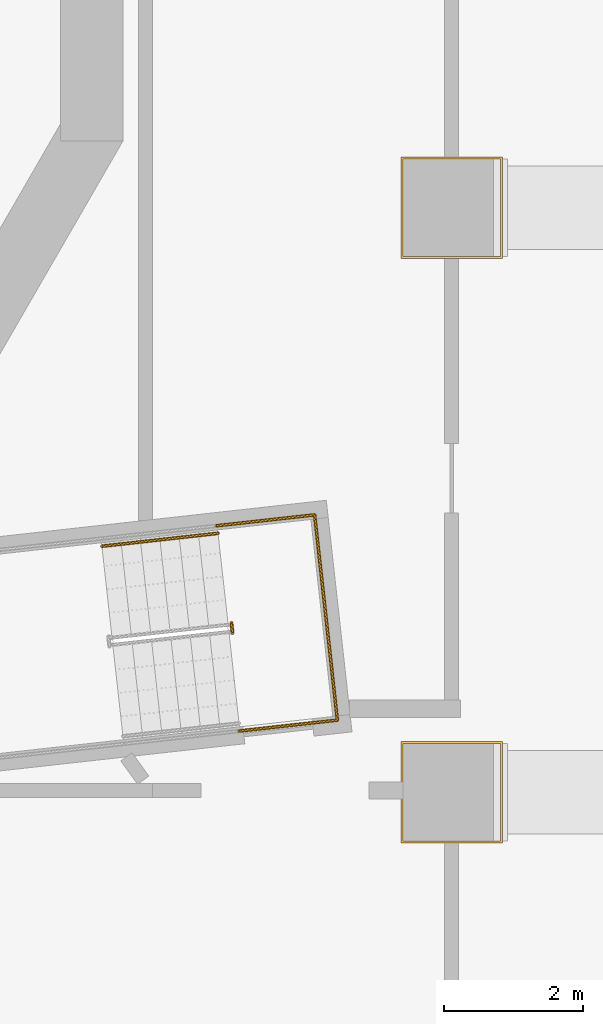
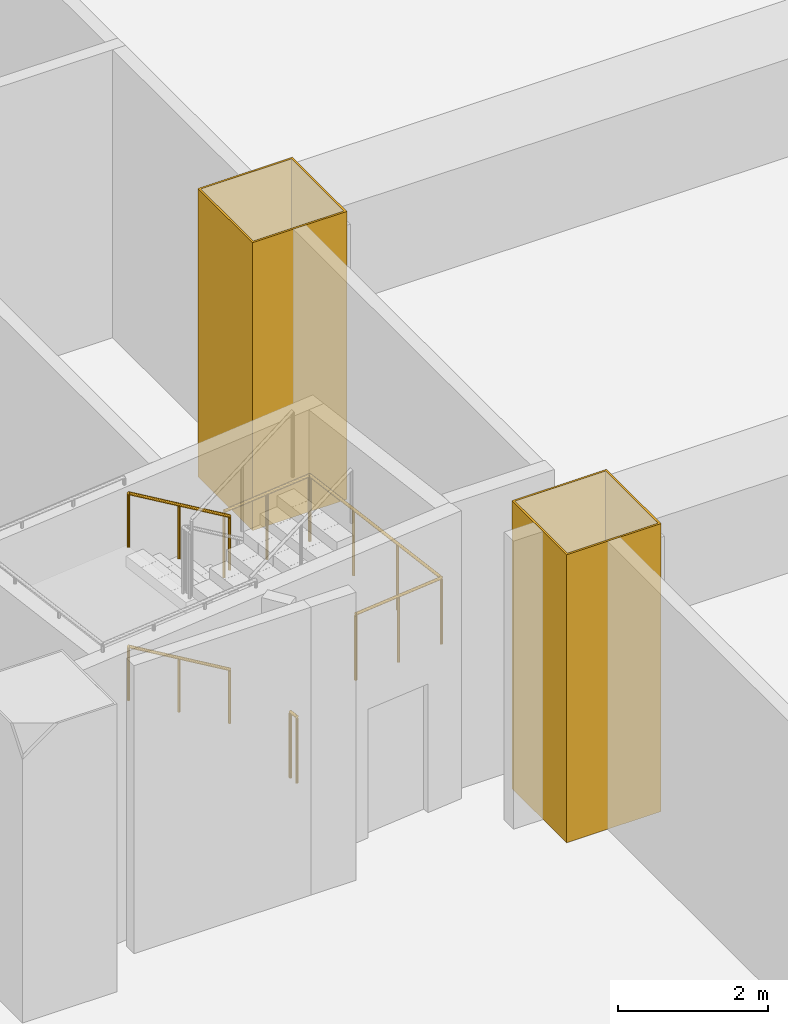
# One storey, part 11 of 17: 4 railings, 2 coverings.
"""IFC4 building model written with IfcOpenShell, lengths in metres."""

from ifc_helpers import new_model, si_unit, direction, frame, origin, origin_2d, place, context, subcontext, project, spatial, polyline, circle, outline, extrude, material, layer, layer_set, type_object, element, save


model = new_model("IFC4")

# Units and contexts
model_context = context("Model", 3, precision=1e-05, world=origin(), true_north=direction((0.0, 1.0)))
body_context = subcontext(model_context, "Body", "Model", "MODEL_VIEW")
ifc_project = project(units=[si_unit("LENGTHUNIT", "METRE"), si_unit("AREAUNIT", "SQUARE_METRE"), si_unit("VOLUMEUNIT", "CUBIC_METRE"), si_unit("PLANEANGLEUNIT", "RADIAN"), si_unit("MASSUNIT", "GRAM", prefix="KILO")], contexts=[model_context])

# Site, building, storey
site_placement = place(None, origin())
site = spatial("IfcSite", under=ifc_project, at=site_placement, CompositionType="ELEMENT")
building_placement = place(site_placement, origin())
building = spatial("IfcBuilding", under=site, at=building_placement, Name="Cantera Rosa Tower", CompositionType="ELEMENT")
storey_placement = place(building_placement, frame((0.0, 0.0, 22.0)))
storey = spatial("IfcBuildingStorey", under=building, at=storey_placement, Name="L03", CompositionType="ELEMENT", Elevation=22.0)

# Coverings
ifc_material_1 = material(Name="Plaster")
ifc_layer = layer(ifc_material_1, 0.030029296875)
ifc_layer_set = layer_set([ifc_layer], Name="Column casing 30")
covering_type = type_object("IfcCoveringType", Name="Column casing 30", PredefinedType="CLADDING", material=ifc_layer_set)
covering_1_placement = place(storey_placement, origin())
element("IfcCovering", 1, at=covering_1_placement, inside=storey, type_object=covering_type, Name="Column casing L03-027", PredefinedType="CLADDING", context=body_context, shape_type="SweptSolid", body=[
    extrude(outline(polyline([(16.070068359375, -13.330078125), (17.530029296875, -13.330078125), (17.530029296875, -11.8701171875), (16.070068359375, -11.8701171875), (16.070068359375, -13.330078125)]), holes=[polyline([(17.5, -11.89990234375), (16.10009765625, -11.89990234375), (16.10009765625, -13.300048828125), (17.5, -13.300048828125), (17.5, -11.89990234375)])]), origin(), (0.0, 0.0, 1.0), 4.699951171875),
])
covering_2_placement = place(storey_placement, origin())
element("IfcCovering", 2, at=covering_2_placement, inside=storey, type_object=covering_type, Name="Column casing L03-028", PredefinedType="CLADDING", context=body_context, shape_type="SweptSolid", body=[
    extrude(outline(polyline([(16.070068359375, -4.929931640625), (17.530029296875, -4.929931640625), (17.530029296875, -3.469970703125), (16.070068359375, -3.469970703125), (16.070068359375, -4.929931640625)]), holes=[polyline([(17.5, -3.5), (16.10009765625, -3.5), (16.10009765625, -4.89990234375), (17.5, -4.89990234375), (17.5, -3.5)])]), origin(), (0.0, 0.0, 1.0), 4.699951171875),
])

# Railings
ifc_material_2 = material(Name="Steel S355J2 (EN 10025-2)", Category="steel")
railing_type_1 = type_object("IfcRailingType", Name="STAIR GUARD 1100", PredefinedType="GUARDRAIL", material=ifc_material_2)
railing_1_placement = place(storey_placement, frame((13.6328125, -10.16552734375, 0.0)))
element("IfcRailing", 3, at=railing_1_placement, inside=storey, type_object=railing_type_1, Name="L03 ST-14 stair guard 5", PredefinedType="GUARDRAIL", context=body_context, shape_type="SweptSolid", body=[
    extrude(circle(Radius=0.02392578125, at=origin_2d()), frame((0.0, 0.0, 1.076171875), z_axis=(0.110610055588, -0.993863881828, 0.0), x_axis=(0.993863881828, 0.110610055588, 0.0)), (0.0, 0.0, 1.0), 0.150146484375),
    extrude(circle(Radius=0.02099609375, at=origin_2d()), origin(), (0.0, 0.0, 1.0), 1.052001953125),
    extrude(circle(Radius=0.02099609375, at=origin_2d()), frame((0.0166015625, -0.149169921875, 0.0)), (0.0, 0.0, 1.0), 1.052001953125),
])
railing_2_placement = place(storey_placement, frame((13.415771484375, -8.77099609375, 2.5)))
element("IfcRailing", 4, at=railing_2_placement, inside=storey, type_object=railing_type_1, Name="L03 ST-14 stair guard 8", PredefinedType="GUARDRAIL", context=body_context, shape_type="SweptSolid", body=[
    extrude(circle(Radius=0.02392578125, at=origin_2d()), frame((0.0, 0.0, 1.076171875), z_axis=(0.993887921413, 0.110393838913, 0.0), x_axis=(-0.110393838913, 0.993887921413, 0.0)), (0.0, 0.0, 1.0), 1.422119140625),
    extrude(circle(Radius=0.02392578125, at=origin_2d()), frame((1.413330078125, 0.156982421875, 1.076171875), z_axis=(0.110314237986, -0.993896759678, 0.0), x_axis=(0.993896759678, 0.110314237986, 0.0)), (0.0, 0.0, 1.0), 2.969970703125),
    extrude(circle(Radius=0.02392578125, at=origin_2d()), frame((1.740966796875, -2.794921875, 1.076171875), z_axis=(-0.993887921413, -0.110393838913, 0.0), x_axis=(0.110393838913, -0.993887921413, 0.0)), (0.0, 0.0, 1.0), 1.422119140625),
    extrude(circle(Radius=0.02099609375, at=origin_2d()), origin(), (0.0, 0.0, 1.0), 1.052001953125),
    extrude(circle(Radius=0.02099609375, at=origin_2d()), frame((0.70654296875, 0.07861328125, 0.0)), (0.0, 0.0, 1.0), 1.052001953125),
    extrude(circle(Radius=0.02099609375, at=origin_2d()), frame((1.413330078125, 0.156982421875, 0.0)), (0.0, 0.0, 1.0), 1.052001953125),
    extrude(circle(Radius=0.02099609375, at=origin_2d()), frame((1.5224609375, -0.826904296875, 0.0)), (0.0, 0.0, 1.0), 1.052001953125),
    extrude(circle(Radius=0.02099609375, at=origin_2d()), frame((1.6318359375, -1.81103515625, 0.0)), (0.0, 0.0, 1.0), 1.052001953125),
    extrude(circle(Radius=0.02099609375, at=origin_2d()), frame((1.740966796875, -2.794921875, 0.0)), (0.0, 0.0, 1.0), 1.052001953125),
    extrude(circle(Radius=0.02099609375, at=origin_2d()), frame((1.0341796875, -2.87353515625, 0.0)), (0.0, 0.0, 1.0), 1.052001953125),
    extrude(circle(Radius=0.02099609375, at=origin_2d()), frame((0.32763671875, -2.951904296875, 0.0)), (0.0, 0.0, 1.0), 1.052001953125),
])
ifc_material_3 = material(Name="Steel S355J2 (EN 10025-2)", Category="steel")
railing_type_2 = type_object("IfcRailingType", Name="STAIR HANDRAIL 900", PredefinedType="HANDRAIL", material=ifc_material_3)
for number, where, name in (
    (5, (13.439697265625, -8.87890625, 0.178466796875), "L03 ST-14 stair handrail 1"),
    (6, (13.439697265625, -8.87890625, 2.678466796875), "L03 ST-14 stair handrail 3"),
):
    element("IfcRailing", number, at=place(storey_placement, frame(where)), inside=storey, type_object=railing_type_2, Name=name, PredefinedType="HANDRAIL", context=body_context, shape_type="SweptSolid", body=[
        extrude(circle(Radius=0.02392578125, at=origin_2d()), frame((0.0, 0.0, 0.8759765625), z_axis=(-0.837950904326, -0.092996744609, 0.537763784046), x_axis=(0.110303920128, -0.993897904819, 0.0)), (0.0, 0.0, 1.0), 1.99267578125),
        extrude(circle(Radius=0.02099609375, at=origin_2d()), origin(), (0.0, 0.0, 1.0), 0.851806640625),
        extrude(circle(Radius=0.02099609375, at=origin_2d()), frame((-0.8349609375, -0.0927734375, 0.53564453125)), (0.0, 0.0, 1.0), 0.851806640625),
        extrude(circle(Radius=0.02099609375, at=origin_2d()), frame((-1.669677734375, -0.185302734375, 1.071533203125)), (0.0, 0.0, 1.0), 0.851806640625),
    ])

save(model, "model.ifc")
